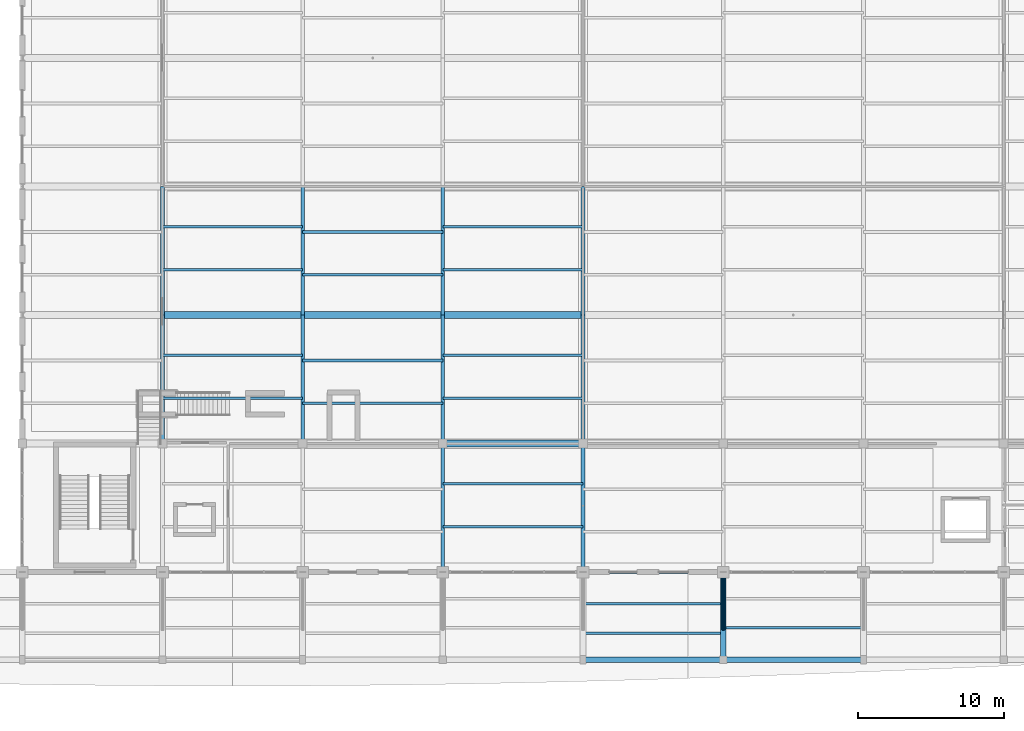
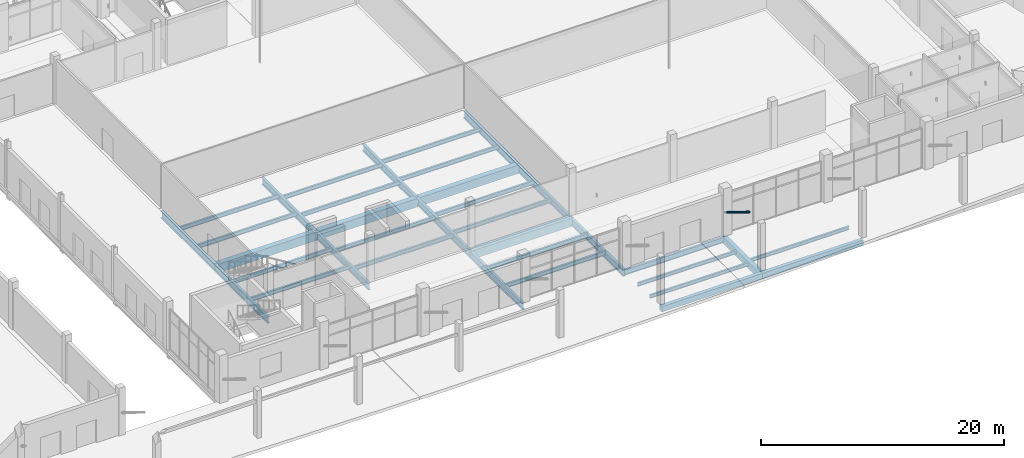
# One storey, part 41 of 116: 35 beams, 1 member.
"""IFC4 building model written with IfcOpenShell, lengths in metres."""

import ifcopenshell
import ifcopenshell.guid

model = None  # the IFC model being written
_history = None  # IfcOwnerHistory: only IFC2X3 demands one
_inside = {}  # id of a spatial element -> (the spatial element, [elements in it])
_under = {}  # id of a project, library or spatial element -> (it, [spatial elements below it])
_declared = {}  # id of a project -> (the project, [libraries it declares])
_typed = {}  # id of a type object -> (the type object, [elements of that type])
_made_of = {}  # id of a material, layer set ... -> (it, [elements and type objects made of it])


def new_model(schema):
    """Start an empty IFC model of exactly this schema.

    Asked for "IFC4X3", IfcOpenShell would pick the latest addendum, in which some entities
    have other attributes; the version numbers below select the first issue.
    IFC2X3 requires an IfcOwnerHistory on every rooted entity: one is made here for all.
    """
    global model, _history
    if schema == "IFC4X3":
        model = ifcopenshell.file(schema_version=(4, 3, 0, 0))
    else:
        model = ifcopenshell.file(schema=schema)
    _inside.clear()
    _under.clear()
    _declared.clear()
    _typed.clear()
    _made_of.clear()
    _history = None
    if model.schema == "IFC2X3":
        org = make("IfcOrganization", Name="unknown")
        user = make(
            "IfcPersonAndOrganization",
            ThePerson=make("IfcPerson", FamilyName="unknown"),
            TheOrganization=org,
        )
        app = make(
            "IfcApplication",
            ApplicationDeveloper=org,
            Version="unknown",
            ApplicationFullName="unknown",
            ApplicationIdentifier="unknown",
        )
        _history = make(
            "IfcOwnerHistory",
            OwningUser=user,
            OwningApplication=app,
            ChangeAction="ADDED",
            CreationDate=0,
        )
    return model


def make(cls, **values):
    """One entity of the class cls with the attributes given. An attribute that is None is left unset."""
    return model.create_entity(
        cls, **{name: value for name, value in values.items() if value is not None}
    )


def rooted(cls, **values):
    """An entity with a GlobalId (a new one), such as an element, a storey or a relation."""
    return make(cls, GlobalId=ifcopenshell.guid.new(), OwnerHistory=_history, **values)


def si_unit(unit_type, name, prefix=None):
    """IfcSIUnit, for example si_unit("LENGTHUNIT", "METRE", prefix="MILLI")."""
    return make("IfcSIUnit", UnitType=unit_type, Prefix=prefix, Name=name)


def assignment(units):
    """IfcUnitAssignment: the units of a project."""
    return None if units is None else make("IfcUnitAssignment", Units=units)


def point(xyz):
    """IfcCartesianPoint."""
    return None if xyz is None else make("IfcCartesianPoint", Coordinates=xyz)


def direction(xyz):
    """IfcDirection."""
    return None if xyz is None else make("IfcDirection", DirectionRatios=xyz)


def frame(location, z_axis=None, x_axis=None):
    """IfcAxis2Placement3D, a coordinate frame: its origin and axes. An axis left out is left unset."""
    return make(
        "IfcAxis2Placement3D",
        Location=point(location),
        Axis=direction(z_axis),
        RefDirection=direction(x_axis),
    )


def frame_2d(location, x_axis=None):
    """IfcAxis2Placement2D, a coordinate frame in the plane: its origin and x axis."""
    return make(
        "IfcAxis2Placement2D", Location=point(location), RefDirection=direction(x_axis)
    )


def origin():
    """The frame at (0, 0, 0) with its axes left unset."""
    return frame((0.0, 0.0, 0.0))


def origin_2d():
    """The frame at (0, 0) in the plane with its x axis left unset."""
    return frame_2d((0.0, 0.0))


def place(relative_to, where):
    """IfcLocalPlacement: puts the frame where relative to a parent placement (None: the world)."""
    return make(
        "IfcLocalPlacement", PlacementRelTo=relative_to, RelativePlacement=where
    )


def context(
    kind, dimensions, precision=None, world=None, true_north=None, identifier=None
):
    """IfcGeometricRepresentationContext, for example the 3D "Model" context."""
    return make(
        "IfcGeometricRepresentationContext",
        ContextIdentifier=identifier,
        ContextType=kind,
        CoordinateSpaceDimension=dimensions,
        Precision=precision,
        WorldCoordinateSystem=world,
        TrueNorth=true_north,
    )


def subcontext(parent, identifier, kind, view, scale=None):
    """IfcGeometricRepresentationSubContext, for example "Body" below "Model"."""
    return make(
        "IfcGeometricRepresentationSubContext",
        ContextIdentifier=identifier,
        ContextType=kind,
        ParentContext=parent,
        TargetScale=scale,
        TargetView=view,
    )


def project(units=None, contexts=None):
    """IfcProject with its units and contexts."""
    return rooted(
        "IfcProject",
        Name="project",
        RepresentationContexts=contexts,
        UnitsInContext=assignment(units),
    )


def spatial(cls, under=None, at=None, **own):
    """A site, building, storey or space (cls), placed at a placement, below another one or the project."""
    s = rooted(cls, ObjectPlacement=at, **own)
    if under is not None:
        _under.setdefault(under.id(), (under, []))[1].append(s)
    return s


def profile(cls, at=None, kind="AREA", **sizes):
    """A parametric profile (cls). Its sizes go by their IFC names, for example OverallWidth=200.0."""
    return make(cls, ProfileType=kind, Position=at, **sizes)


def rectangle(**sizes):
    """IfcRectangleProfileDef."""
    return profile("IfcRectangleProfileDef", **sizes)


def hollow_circle(**sizes):
    """IfcCircleHollowProfileDef."""
    return profile("IfcCircleHollowProfileDef", **sizes)


def i_section(**sizes):
    """IfcIShapeProfileDef."""
    return profile("IfcIShapeProfileDef", **sizes)


def extrude(swept, where, along, depth):
    """IfcExtrudedAreaSolid: the profile swept, set in the frame where, extruded along a direction by depth."""
    return make(
        "IfcExtrudedAreaSolid",
        SweptArea=swept,
        Position=where,
        ExtrudedDirection=direction(along),
        Depth=depth,
    )


def shape(context_of_items, identifier, shape_type, items):
    """IfcShapeRepresentation: the items that make up one representation, for example the "Body"."""
    return make(
        "IfcShapeRepresentation",
        ContextOfItems=context_of_items,
        RepresentationIdentifier=identifier,
        RepresentationType=shape_type,
        Items=items,
    )


def material(Name=None, Category=None):
    """IfcMaterial."""
    return make("IfcMaterial", Name=Name, Category=Category)


def material_profile(
    of_material, cross_section, Name=None, Category=None, Priority=None
):
    """IfcMaterialProfile: a cross section and its material."""
    return make(
        "IfcMaterialProfile",
        Name=Name,
        Material=of_material,
        Profile=cross_section,
        Priority=Priority,
        Category=Category,
    )


def profile_set(profiles, Name=None, composite=None):
    """IfcMaterialProfileSet."""
    return make(
        "IfcMaterialProfileSet",
        Name=Name,
        MaterialProfiles=profiles,
        CompositeProfile=composite,
    )


def made_of(thing, what):
    """Note that an element or type object is made of a material, layer set ...; save() writes the relation."""
    if what is not None:
        _made_of.setdefault(what.id(), (what, []))[1].append(thing)
    return thing


def type_object(cls, material=None, **own):
    """A type object (cls), such as IfcWallType, which elements share."""
    return made_of(rooted(cls, **own), material)


def element(
    cls,
    number,
    at=None,
    inside=None,
    cuts=None,
    type_object=None,
    material=None,
    context=None,
    identifier="Body",
    shape_type=None,
    held_by="IfcProductDefinitionShape",
    body=None,
    shapes=None,
    **own,
):
    """One element of the class cls, such as IfcWall. Its Tag is "e" and its number.

    at: its placement. inside: the storey or other place that contains it. cuts: it is an
    opening in that element (IfcRelVoidsElement). A single representation is given by context,
    identifier, shape_type and body (its items); several are given by shapes. held_by: the class
    of the entity that holds the representations. save() writes the other relations.
    """
    e = rooted(cls, Tag="e%d" % number, ObjectPlacement=at, **own)
    if body is not None:
        shapes = [shape(context, identifier, shape_type, body)]
    if shapes is not None:
        e.Representation = make(held_by, Representations=shapes)
    if inside is not None:
        _inside.setdefault(inside.id(), (inside, []))[1].append(e)
    if cuts is not None:
        rooted(
            "IfcRelVoidsElement", RelatingBuildingElement=cuts, RelatedOpeningElement=e
        )
    if type_object is not None:
        _typed.setdefault(type_object.id(), (type_object, []))[1].append(e)
    return made_of(e, material)


def aggregate(whole, parts):
    """IfcRelAggregates: a whole, such as a stair, and the parts it consists of."""
    return rooted("IfcRelAggregates", RelatingObject=whole, RelatedObjects=parts)


def save(model, path):
    """Write the relations noted so far, then the file.

    IfcRelAggregates (storeys below a building ...), IfcRelContainedInSpatialStructure (elements
    in a storey), IfcRelDefinesByType, IfcRelAssociatesMaterial and IfcRelDeclares: one each for
    every whole, place, type object, material and project.
    """
    for whole, parts in _under.values():
        aggregate(whole, parts)
    for where, things in _inside.values():
        rooted(
            "IfcRelContainedInSpatialStructure",
            RelatedElements=things,
            RelatingStructure=where,
        )
    for kind, things in _typed.values():
        rooted("IfcRelDefinesByType", RelatedObjects=things, RelatingType=kind)
    for what, things in _made_of.values():
        rooted("IfcRelAssociatesMaterial", RelatedObjects=things, RelatingMaterial=what)
    for by, libraries in _declared.values():
        rooted("IfcRelDeclares", RelatingContext=by, RelatedDefinitions=libraries)
    model.write(path)


model = new_model("IFC4")

# Units and contexts
model_context = context("Model", 3, precision=1e-05, world=origin(), true_north=direction((0.0, 1.0)))
body_context = subcontext(model_context, "Body", "Model", "MODEL_VIEW")
ifc_project = project(units=[si_unit("LENGTHUNIT", "METRE"), si_unit("AREAUNIT", "SQUARE_METRE"), si_unit("VOLUMEUNIT", "CUBIC_METRE"), si_unit("PLANEANGLEUNIT", "RADIAN"), si_unit("MASSUNIT", "GRAM", prefix="KILO")], contexts=[model_context])

# Site, building, storey
site_placement = place(None, origin())
site = spatial("IfcSite", under=ifc_project, at=site_placement, CompositionType="ELEMENT")
building_placement = place(site_placement, origin())
building = spatial("IfcBuilding", under=site, at=building_placement, Name="Chalmorin Arch Market", CompositionType="ELEMENT")
storey_placement = place(building_placement, origin())
storey = spatial("IfcBuildingStorey", under=building, at=storey_placement, Name="L00", CompositionType="ELEMENT", Elevation=0.0)

# Member
ifc_material_1 = material(Name="Steel A500 Grade C", Category="steel")
ifc_material_profile_1 = material_profile(ifc_material_1, hollow_circle(Radius=0.109619140625, WallThickness=0.00830078125, at=origin_2d()), Name="CHS219X8")
ifc_profile_set_1 = profile_set([ifc_material_profile_1], Name="Steel A500 Grade C")
member_type = type_object("IfcMemberType", Name="CanopyRakingStrut-CHS219", PredefinedType="STRUT", material=ifc_profile_set_1)
member_placement = place(storey_placement, frame((96.0, 6.0, 2.10009765625), z_axis=(0.0, -0.852698951307, 0.522402621012), x_axis=(1.0, 0.0, 0.0)))
element("IfcMember", 1, at=member_placement, inside=storey, type_object=member_type, Name="ST-CH219-0011", PredefinedType="STRUT", context=body_context, shape_type="SweptSolid", body=[
    extrude(hollow_circle(Radius=0.109619140625, WallThickness=0.00830078125, at=origin_2d()), origin(), (0.0, 0.0, 1.0), 4.63232421875),
])

# Beams
ifc_material_2 = material(Name="Concrete C40/50", Category="concrete")
ifc_material_profile_2 = material_profile(ifc_material_2, rectangle(XDim=0.39990234375, YDim=0.64990234375, at=origin_2d()), Name="RC400X650")
ifc_profile_set_2 = profile_set([ifc_material_profile_2], Name="Concrete C40/50")
beam_type_1 = type_object("IfcBeamType", Name="MezzanineConcreteBeam-400x650", PredefinedType="BEAM", material=ifc_profile_set_2)
beam_1_placement = place(storey_placement, frame((96.0, 0.0, -0.626953125), z_axis=(0.0, 1.0, 0.0), x_axis=(-1.0, 0.0, 0.0)))
element("IfcBeam", 2, at=beam_1_placement, inside=storey, type_object=beam_type_1, Name="BM-RC3-0567", PredefinedType="BEAM", context=body_context, shape_type="SweptSolid", body=[
    extrude(rectangle(XDim=0.39990234375, YDim=0.64990234375, at=origin_2d()), origin(), (0.0, 0.0, 1.0), 6.0),
])
ifc_material_3 = material(Name="Steel A992 Grade 50", Category="steel")
ifc_material_profile_3 = material_profile(ifc_material_3, i_section(OverallWidth=0.208984375, OverallDepth=0.532958984375, WebThickness=0.01025390625, FlangeThickness=0.015625, FilletRadius=0.02197265625, at=origin_2d()), Name="W21X62")
ifc_profile_set_3 = profile_set([ifc_material_profile_3], Name="Steel A992 Grade 50")
beam_type_2 = type_object("IfcBeamType", Name="PerimeterSpandrelBeam-W21X62", PredefinedType="SPANDREL", material=ifc_profile_set_3)
beam_2_placement = place(storey_placement, frame((86.39990234375, 6.0, -0.568603515625), z_axis=(1.0, 0.0, 0.0), x_axis=(0.0, 1.0, 0.0)))
element("IfcBeam", 3, at=beam_2_placement, inside=storey, type_object=beam_type_2, Name="SP-W21-0059", PredefinedType="SPANDREL", context=body_context, shape_type="SweptSolid", body=[
    extrude(i_section(OverallWidth=0.208984375, OverallDepth=0.532958984375, WebThickness=0.01025390625, FlangeThickness=0.015625, FilletRadius=0.02197265625, at=origin_2d()), origin(), (0.0, 0.0, 1.0), 9.60009765625),
])
ifc_material_profile_4 = material_profile(ifc_material_2, rectangle(XDim=0.5, YDim=0.85009765625, at=origin_2d()), Name="RC500X850")
ifc_profile_set_4 = profile_set([ifc_material_profile_4], Name="Concrete C40/50")
beam_type_3 = type_object("IfcBeamType", Name="PlinthConcreteGirder-500x850", PredefinedType="BEAM", material=ifc_profile_set_4)
beam_3_placement = place(storey_placement, frame((57.60009765625, 23.60009765625, -0.70703125), z_axis=(1.0, 0.0, 0.0), x_axis=(0.0, 1.0, 0.0)))
element("IfcBeam", 4, at=beam_3_placement, inside=storey, type_object=beam_type_3, Name="BG-RC1-0023", PredefinedType="BEAM", context=body_context, shape_type="SweptSolid", body=[
    extrude(rectangle(XDim=0.5, YDim=0.85009765625, at=origin_2d()), origin(), (0.0, 0.0, 1.0), 9.599853515625),
])
beam_4_placement = place(storey_placement, frame((67.199951171875, 23.60009765625, -0.70703125), z_axis=(1.0, 0.0, 0.0), x_axis=(0.0, 1.0, 0.0)))
element("IfcBeam", 5, at=beam_4_placement, inside=storey, type_object=beam_type_3, Name="BG-RC1-0036", PredefinedType="BEAM", context=body_context, shape_type="SweptSolid", body=[
    extrude(rectangle(XDim=0.5, YDim=0.85009765625, at=origin_2d()), origin(), (0.0, 0.0, 1.0), 9.60009765625),
])
for number, where, z_axis, x_axis, name in (
    (6, (76.800048828125, 14.800048828125, -0.70703125), (1.0, 0.0, 0.0), (0.0, 1.0, 0.0), "BG-RC1-0047"),
    (7, (76.800048828125, 23.60009765625, -0.70703125), (1.0, 0.0, 0.0), (0.0, 1.0, 0.0), "BG-RC1-0049"),
):
    element("IfcBeam", number, at=place(storey_placement, frame(where, z_axis=z_axis, x_axis=x_axis)), inside=storey, type_object=beam_type_3, Name=name, PredefinedType="BEAM", context=body_context, shape_type="SweptSolid", body=[
        extrude(rectangle(XDim=0.5, YDim=0.85009765625, at=origin_2d()), origin(), (0.0, 0.0, 1.0), 9.599853515625),
    ])
ifc_material_profile_5 = material_profile(ifc_material_3, i_section(OverallWidth=0.25390625, OverallDepth=0.68408203125, WebThickness=0.012451171875, FlangeThickness=0.018798828125, FilletRadius=0.02587890625, at=origin_2d()), Name="W27X94")
ifc_profile_set_5 = profile_set([ifc_material_profile_5], Name="Steel A992 Grade 50")
beam_type_4 = type_object("IfcBeamType", Name="PrimarySteelGirder-W27X94", PredefinedType="BEAM", material=ifc_profile_set_5)
beam_5_placement = place(storey_placement, frame((57.60009765625, 14.800048828125, -0.6240234375), z_axis=(0.0, 1.0, 0.0), x_axis=(-1.0, 0.0, 0.0)))
element("IfcBeam", 8, at=beam_5_placement, inside=storey, type_object=beam_type_4, Name="BG-W27-0007", PredefinedType="BEAM", context=body_context, shape_type="SweptSolid", body=[
    extrude(i_section(OverallWidth=0.25390625, OverallDepth=0.68408203125, WebThickness=0.012451171875, FlangeThickness=0.018798828125, FilletRadius=0.02587890625, at=origin_2d()), origin(), (0.0, 0.0, 1.0), 8.800048828125),
])
beam_6_placement = place(storey_placement, frame((57.60009765625, 23.60009765625, -0.6240234375), z_axis=(0.0, 1.0, 0.0), x_axis=(-1.0, 0.0, 0.0)))
element("IfcBeam", 9, at=beam_6_placement, inside=storey, type_object=beam_type_4, Name="BG-W27-0010", PredefinedType="BEAM", context=body_context, shape_type="SweptSolid", body=[
    extrude(i_section(OverallWidth=0.25390625, OverallDepth=0.68408203125, WebThickness=0.012451171875, FlangeThickness=0.018798828125, FilletRadius=0.02587890625, at=origin_2d()), origin(), (0.0, 0.0, 1.0), 8.7998046875),
])
beam_7_placement = place(storey_placement, frame((67.199951171875, 14.800048828125, -0.6240234375), z_axis=(0.0, 1.0, 0.0), x_axis=(-1.0, 0.0, 0.0)))
element("IfcBeam", 10, at=beam_7_placement, inside=storey, type_object=beam_type_4, Name="BG-W27-0024", PredefinedType="BEAM", context=body_context, shape_type="SweptSolid", body=[
    extrude(i_section(OverallWidth=0.25390625, OverallDepth=0.68408203125, WebThickness=0.012451171875, FlangeThickness=0.018798828125, FilletRadius=0.02587890625, at=origin_2d()), origin(), (0.0, 0.0, 1.0), 8.800048828125),
])
beam_8_placement = place(storey_placement, frame((67.199951171875, 23.60009765625, -0.6240234375), z_axis=(0.0, 1.0, 0.0), x_axis=(-1.0, 0.0, 0.0)))
element("IfcBeam", 11, at=beam_8_placement, inside=storey, type_object=beam_type_4, Name="BG-W27-0026", PredefinedType="BEAM", context=body_context, shape_type="SweptSolid", body=[
    extrude(i_section(OverallWidth=0.25390625, OverallDepth=0.68408203125, WebThickness=0.012451171875, FlangeThickness=0.018798828125, FilletRadius=0.02587890625, at=origin_2d()), origin(), (0.0, 0.0, 1.0), 8.7998046875),
])
for number, where, z_axis, x_axis, name in (
    (12, (76.800048828125, 6.0, -0.64404296875), (0.0, 1.0, 0.0), (-1.0, 0.0, 0.0), "BG-W27-0035"),
    (13, (76.800048828125, 14.800048828125, -0.6240234375), (0.0, 1.0, 0.0), (-1.0, 0.0, 0.0), "BG-W27-0037"),
):
    element("IfcBeam", number, at=place(storey_placement, frame(where, z_axis=z_axis, x_axis=x_axis)), inside=storey, type_object=beam_type_4, Name=name, PredefinedType="BEAM", context=body_context, shape_type="SweptSolid", body=[
        extrude(i_section(OverallWidth=0.25390625, OverallDepth=0.68408203125, WebThickness=0.012451171875, FlangeThickness=0.018798828125, FilletRadius=0.02587890625, at=origin_2d()), origin(), (0.0, 0.0, 1.0), 8.800048828125),
    ])
beam_9_placement = place(storey_placement, frame((76.800048828125, 23.60009765625, -0.6240234375), z_axis=(0.0, 1.0, 0.0), x_axis=(-1.0, 0.0, 0.0)))
element("IfcBeam", 14, at=beam_9_placement, inside=storey, type_object=beam_type_4, Name="BG-W27-0039", PredefinedType="BEAM", context=body_context, shape_type="SweptSolid", body=[
    extrude(i_section(OverallWidth=0.25390625, OverallDepth=0.68408203125, WebThickness=0.012451171875, FlangeThickness=0.018798828125, FilletRadius=0.02587890625, at=origin_2d()), origin(), (0.0, 0.0, 1.0), 8.7998046875),
])
for number, where, z_axis, x_axis, name in (
    (15, (86.39990234375, 6.0, -0.64404296875), (0.0, 1.0, 0.0), (-1.0, 0.0, 0.0), "BG-W27-0048"),
    (16, (86.39990234375, 14.800048828125, -0.6240234375), (0.0, 1.0, 0.0), (-1.0, 0.0, 0.0), "BG-W27-0050"),
):
    element("IfcBeam", number, at=place(storey_placement, frame(where, z_axis=z_axis, x_axis=x_axis)), inside=storey, type_object=beam_type_4, Name=name, PredefinedType="BEAM", context=body_context, shape_type="SweptSolid", body=[
        extrude(i_section(OverallWidth=0.25390625, OverallDepth=0.68408203125, WebThickness=0.012451171875, FlangeThickness=0.018798828125, FilletRadius=0.02587890625, at=origin_2d()), origin(), (0.0, 0.0, 1.0), 8.800048828125),
    ])
beam_10_placement = place(storey_placement, frame((86.39990234375, 23.60009765625, -0.6240234375), z_axis=(0.0, 1.0, 0.0), x_axis=(-1.0, 0.0, 0.0)))
element("IfcBeam", 17, at=beam_10_placement, inside=storey, type_object=beam_type_4, Name="BG-W27-0052", PredefinedType="BEAM", context=body_context, shape_type="SweptSolid", body=[
    extrude(i_section(OverallWidth=0.25390625, OverallDepth=0.68408203125, WebThickness=0.012451171875, FlangeThickness=0.018798828125, FilletRadius=0.02587890625, at=origin_2d()), origin(), (0.0, 0.0, 1.0), 8.7998046875),
])
ifc_material_profile_6 = material_profile(ifc_material_3, i_section(OverallWidth=0.1708984375, OverallDepth=0.35107421875, WebThickness=0.0068359375, FlangeThickness=0.009765625, FilletRadius=0.014892578125, at=origin_2d()), Name="W14X30")
ifc_profile_set_6 = profile_set([ifc_material_profile_6], Name="Steel A992 Grade 50")
beam_type_5 = type_object("IfcBeamType", Name="SecondaryFloorJoist-W14X30", PredefinedType="JOIST", material=ifc_profile_set_6)
for number, where, z_axis, x_axis, name in (
    (18, (86.39990234375, 1.820068359375, -0.4775390625), (1.0, 0.0, 0.0), (0.0, 1.0, 0.0), "BJ-W14-0592"),
    (19, (86.39990234375, 3.820068359375, -0.4775390625), (1.0, 0.0, 0.0), (0.0, 1.0, 0.0), "BJ-W14-0593"),
    (20, (96.0, 2.179931640625, -0.4775390625), (1.0, 0.0, 0.0), (0.0, 1.0, 0.0), "BJ-W14-0594"),
):
    element("IfcBeam", number, at=place(storey_placement, frame(where, z_axis=z_axis, x_axis=x_axis)), inside=storey, type_object=beam_type_5, Name=name, PredefinedType="JOIST", context=body_context, shape_type="SweptSolid", body=[
        extrude(i_section(OverallWidth=0.1708984375, OverallDepth=0.35107421875, WebThickness=0.0068359375, FlangeThickness=0.009765625, FilletRadius=0.014892578125, at=origin_2d()), origin(), (0.0, 0.0, 1.0), 9.60009765625),
    ])
ifc_material_profile_7 = material_profile(ifc_material_3, i_section(OverallWidth=0.178955078125, OverallDepth=0.409912109375, WebThickness=0.0087890625, FlangeThickness=0.014404296875, FilletRadius=0.01806640625, at=origin_2d()), Name="W16X45")
ifc_profile_set_7 = profile_set([ifc_material_profile_7], Name="Steel A992 Grade 50")
beam_type_6 = type_object("IfcBeamType", Name="SecondaryFloorJoist-W16X45", PredefinedType="JOIST", material=ifc_profile_set_7)
for number, where, z_axis, x_axis, name in (
    (21, (57.60009765625, 17.913330078125, -0.487060546875), (1.0, 0.0, 0.0), (0.0, 1.0, 0.0), "BJ-W16A-0123"),
    (22, (57.60009765625, 20.8466796875, -0.487060546875), (1.0, 0.0, 0.0), (0.0, 1.0, 0.0), "BJ-W16A-0124"),
    (23, (57.60009765625, 26.71337890625, -0.487060546875), (1.0, 0.0, 0.0), (0.0, 1.0, 0.0), "BJ-W16A-0125"),
    (24, (57.60009765625, 29.646728515625, -0.487060546875), (1.0, 0.0, 0.0), (0.0, 1.0, 0.0), "BJ-W16A-0126"),
):
    element("IfcBeam", number, at=place(storey_placement, frame(where, z_axis=z_axis, x_axis=x_axis)), inside=storey, type_object=beam_type_6, Name=name, PredefinedType="JOIST", context=body_context, shape_type="SweptSolid", body=[
        extrude(i_section(OverallWidth=0.178955078125, OverallDepth=0.409912109375, WebThickness=0.0087890625, FlangeThickness=0.014404296875, FilletRadius=0.01806640625, at=origin_2d()), origin(), (0.0, 0.0, 1.0), 9.599853515625),
    ])
for number, where, z_axis, x_axis, name in (
    (25, (67.199951171875, 17.55322265625, -0.487060546875), (1.0, 0.0, 0.0), (0.0, 1.0, 0.0), "BJ-W16A-0135"),
    (26, (67.199951171875, 20.48681640625, -0.487060546875), (1.0, 0.0, 0.0), (0.0, 1.0, 0.0), "BJ-W16A-0136"),
    (27, (67.199951171875, 26.353271484375, -0.487060546875), (1.0, 0.0, 0.0), (0.0, 1.0, 0.0), "BJ-W16A-0137"),
    (28, (67.199951171875, 29.28662109375, -0.487060546875), (1.0, 0.0, 0.0), (0.0, 1.0, 0.0), "BJ-W16A-0138"),
):
    element("IfcBeam", number, at=place(storey_placement, frame(where, z_axis=z_axis, x_axis=x_axis)), inside=storey, type_object=beam_type_6, Name=name, PredefinedType="JOIST", context=body_context, shape_type="SweptSolid", body=[
        extrude(i_section(OverallWidth=0.178955078125, OverallDepth=0.409912109375, WebThickness=0.0087890625, FlangeThickness=0.014404296875, FilletRadius=0.01806640625, at=origin_2d()), origin(), (0.0, 0.0, 1.0), 9.60009765625),
    ])
for number, where, z_axis, x_axis, name in (
    (29, (76.800048828125, 9.11328125, -0.487060546875), (1.0, 0.0, 0.0), (0.0, 1.0, 0.0), "BJ-W16A-0143"),
    (30, (76.800048828125, 12.046630859375, -0.487060546875), (1.0, 0.0, 0.0), (0.0, 1.0, 0.0), "BJ-W16A-0144"),
    (31, (76.800048828125, 17.913330078125, -0.487060546875), (1.0, 0.0, 0.0), (0.0, 1.0, 0.0), "BJ-W16A-0145"),
    (32, (76.800048828125, 20.8466796875, -0.487060546875), (1.0, 0.0, 0.0), (0.0, 1.0, 0.0), "BJ-W16A-0146"),
    (33, (76.800048828125, 26.71337890625, -0.487060546875), (1.0, 0.0, 0.0), (0.0, 1.0, 0.0), "BJ-W16A-0147"),
    (34, (76.800048828125, 29.646728515625, -0.487060546875), (1.0, 0.0, 0.0), (0.0, 1.0, 0.0), "BJ-W16A-0148"),
):
    element("IfcBeam", number, at=place(storey_placement, frame(where, z_axis=z_axis, x_axis=x_axis)), inside=storey, type_object=beam_type_6, Name=name, PredefinedType="JOIST", context=body_context, shape_type="SweptSolid", body=[
        extrude(i_section(OverallWidth=0.178955078125, OverallDepth=0.409912109375, WebThickness=0.0087890625, FlangeThickness=0.014404296875, FilletRadius=0.01806640625, at=origin_2d()), origin(), (0.0, 0.0, 1.0), 9.599853515625),
    ])
ifc_material_profile_8 = material_profile(ifc_material_2, rectangle(XDim=0.35009765625, YDim=0.550048828125, at=origin_2d()), Name="RC350X550")
ifc_profile_set_8 = profile_set([ifc_material_profile_8], Name="Concrete C40/50")
beam_type_7 = type_object("IfcBeamType", Name="TerraceEdgeBeam-350x550", PredefinedType="SPANDREL", material=ifc_profile_set_8)
for number, where, z_axis, x_axis, name in (
    (35, (86.39990234375, 0.0, -0.576904296875), (1.0, 0.0, 0.0), (0.0, 1.0, 0.0), "SP-RC1-0566"),
    (36, (96.0, 0.0, -0.576904296875), (1.0, 0.0, 0.0), (0.0, 1.0, 0.0), "SP-RC1-0568"),
):
    element("IfcBeam", number, at=place(storey_placement, frame(where, z_axis=z_axis, x_axis=x_axis)), inside=storey, type_object=beam_type_7, Name=name, PredefinedType="SPANDREL", context=body_context, shape_type="SweptSolid", body=[
        extrude(rectangle(XDim=0.35009765625, YDim=0.550048828125, at=origin_2d()), origin(), (0.0, 0.0, 1.0), 9.60009765625),
    ])

save(model, "model.ifc")
